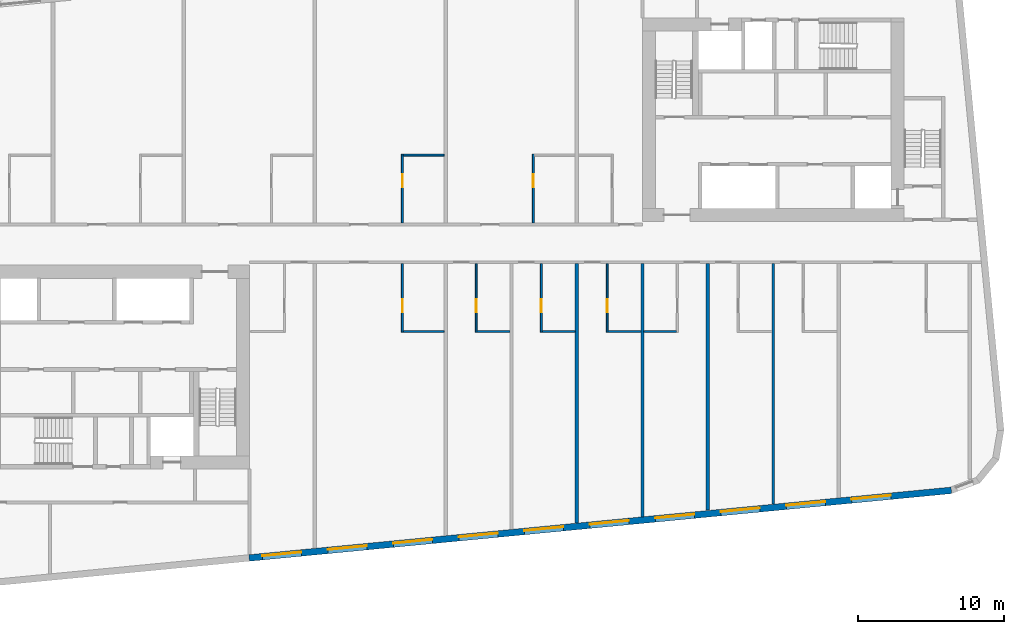
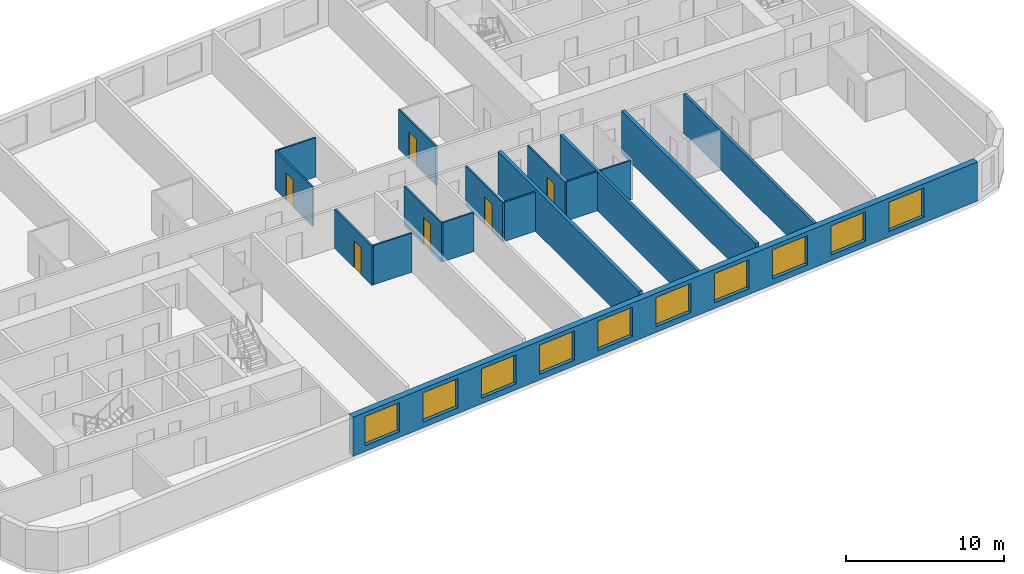
# One storey, part 4 of 11: 17 walls, 10 windows, 6 doors, 16 openings.
"""IFC4 building model written with IfcOpenShell, lengths in metres."""

from ifc_helpers import new_model, si_unit, direction, frame, frame_2d, origin, place, context, subcontext, project, spatial, rectangle, extrude, material, layer, layer_set, type_object, element, fill, save


model = new_model("IFC4")

# Units and contexts
model_context = context("Model", 3, precision=1e-05, world=origin(), true_north=direction((0.0, 1.0)))
body_context = subcontext(model_context, "Body", "Model", "MODEL_VIEW")
ifc_project = project(units=[si_unit("LENGTHUNIT", "METRE"), si_unit("AREAUNIT", "SQUARE_METRE"), si_unit("VOLUMEUNIT", "CUBIC_METRE"), si_unit("PLANEANGLEUNIT", "RADIAN"), si_unit("MASSUNIT", "GRAM", prefix="KILO")], contexts=[model_context])

# Site, building, storey
site_placement = place(None, origin())
site = spatial("IfcSite", under=ifc_project, at=site_placement, CompositionType="ELEMENT")
building_placement = place(site_placement, origin())
building = spatial("IfcBuilding", under=site, at=building_placement, Name="Kajstack Hotel Tower", CompositionType="ELEMENT")
storey_placement = place(building_placement, frame((0.0, 0.0, 285.0)))
storey = spatial("IfcBuildingStorey", under=building, at=storey_placement, Name="L71", CompositionType="ELEMENT", Elevation=285.0)

# Walls
ifc_material_1 = material(Name="Twin-frame gypsum board on steel studs, mineral wool", Category="steel")
ifc_layer_1 = layer(ifc_material_1, 0.199951171875)
ifc_layer_set_1 = layer_set([ifc_layer_1], Name="Demising wall 200")
wall_type_1 = type_object("IfcWallType", Name="Demising wall 200", PredefinedType="PARTITIONING", material=ifc_layer_set_1)
wall_1_placement = place(storey_placement, frame((13.5, -18.7958984375, 0.0), z_axis=(0.0, 0.0, 1.0), x_axis=(0.0, 1.0, 0.0)))
element("IfcWall", 1, at=wall_1_placement, inside=storey, type_object=wall_type_1, Name="G-wall-L71-028", PredefinedType="PARTITIONING", context=body_context, shape_type="SweptSolid", body=[
    extrude(rectangle(XDim=17.39599609375, YDim=0.199951171875, at=frame_2d((8.697998046875, 0.0))), origin(), (0.0, 0.0, 1.0), 3.02001953125),
])
wall_2_placement = place(storey_placement, frame((22.5, -17.928955078125, 0.0), z_axis=(0.0, 0.0, 1.0), x_axis=(0.0, 1.0, 0.0)))
element("IfcWall", 2, at=wall_2_placement, inside=storey, type_object=wall_type_1, Name="G-wall-L71-033", PredefinedType="PARTITIONING", context=body_context, shape_type="SweptSolid", body=[
    extrude(rectangle(XDim=16.529052734375, YDim=0.199951171875, at=frame_2d((8.2646484375, 0.0))), origin(), (0.0, 0.0, 1.0), 3.02001953125),
])

# Wall, openings, windows
ifc_material_2 = material(Name="Terracotta-faced brick masonry", Category="masonry")
ifc_layer_2 = layer(ifc_material_2, 0.449951171875)
ifc_layer_set_2 = layer_set([ifc_layer_2], Name="EW-TERRA")
wall_type_2 = type_object("IfcWallType", Name="EW-TERRA", PredefinedType="SOLIDWALL", material=ifc_layer_set_2)
wall_3_placement = place(storey_placement, frame((-13.521484375, -21.6240234375, 0.0), z_axis=(0.0, 0.0, 1.0), x_axis=(0.995396186218, 0.095845878695, 0.0)))
wall_3 = element("IfcWall", 3, at=wall_3_placement, inside=storey, type_object=wall_type_2, Name="E-wall-L71-04-02", PredefinedType="SOLIDWALL", context=body_context, shape_type="SweptSolid", body=[
    extrude(rectangle(XDim=48.481201171875, YDim=0.449951171875, at=frame_2d((24.24072265625, 0.0))), origin(), (0.0, 0.0, 1.0), 3.02001953125),
])
opening_1_placement = place(wall_3_placement, frame((0.910400390625, 0.0, 0.449951171875)))
opening_1 = element("IfcOpeningElement", 4, at=opening_1_placement, cuts=wall_3, Name="Opening W1", PredefinedType="OPENING", context=body_context, shape_type="SweptSolid", body=[
    extrude(rectangle(XDim=2.699951171875, YDim=2.25, at=frame_2d((1.35009765625, 1.125))), frame((0.0, 0.23486328125, 0.0), z_axis=(0.0, -1.0, 0.0), x_axis=(1.0, 0.0, 0.0)), (0.0, 0.0, 1.0), 0.469970703125),
])
opening_2_placement = place(wall_3_placement, frame((5.43115234375, 0.0, 0.449951171875)))
opening_2 = element("IfcOpeningElement", 5, at=opening_2_placement, cuts=wall_3, Name="Opening W1", PredefinedType="OPENING", context=body_context, shape_type="SweptSolid", body=[
    extrude(rectangle(XDim=2.699951171875, YDim=2.25, at=frame_2d((1.35009765625, 1.125))), frame((0.0, 0.23486328125, 0.0), z_axis=(0.0, -1.0, 0.0), x_axis=(1.0, 0.0, 0.0)), (0.0, 0.0, 1.0), 0.469970703125),
])
opening_3_placement = place(wall_3_placement, frame((9.951904296875, 0.0, 0.449951171875)))
opening_3 = element("IfcOpeningElement", 6, at=opening_3_placement, cuts=wall_3, Name="Opening W1", PredefinedType="OPENING", context=body_context, shape_type="SweptSolid", body=[
    extrude(rectangle(XDim=2.699951171875, YDim=2.25, at=frame_2d((1.35009765625, 1.125))), frame((0.0, 0.23486328125, 0.0), z_axis=(0.0, -1.0, 0.0), x_axis=(1.0, 0.0, 0.0)), (0.0, 0.0, 1.0), 0.469970703125),
])
opening_4_placement = place(wall_3_placement, frame((14.472900390625, 0.0, 0.449951171875)))
opening_4 = element("IfcOpeningElement", 7, at=opening_4_placement, cuts=wall_3, Name="Opening W1", PredefinedType="OPENING", context=body_context, shape_type="SweptSolid", body=[
    extrude(rectangle(XDim=2.699951171875, YDim=2.25, at=frame_2d((1.35009765625, 1.125))), frame((0.0, 0.23486328125, 0.0), z_axis=(0.0, -1.0, 0.0), x_axis=(1.0, 0.0, 0.0)), (0.0, 0.0, 1.0), 0.469970703125),
])
opening_5_placement = place(wall_3_placement, frame((18.99365234375, 0.0, 0.449951171875)))
opening_5 = element("IfcOpeningElement", 8, at=opening_5_placement, cuts=wall_3, Name="Opening W1", PredefinedType="OPENING", context=body_context, shape_type="SweptSolid", body=[
    extrude(rectangle(XDim=2.699951171875, YDim=2.25, at=frame_2d((1.35009765625, 1.125))), frame((0.0, 0.23486328125, 0.0), z_axis=(0.0, -1.0, 0.0), x_axis=(1.0, 0.0, 0.0)), (0.0, 0.0, 1.0), 0.469970703125),
])
opening_6_placement = place(wall_3_placement, frame((23.514404296875, 0.0, 0.449951171875)))
opening_6 = element("IfcOpeningElement", 9, at=opening_6_placement, cuts=wall_3, Name="Opening W1", PredefinedType="OPENING", context=body_context, shape_type="SweptSolid", body=[
    extrude(rectangle(XDim=2.699951171875, YDim=2.25, at=frame_2d((1.35009765625, 1.125))), frame((0.0, 0.23486328125, 0.0), z_axis=(0.0, -1.0, 0.0), x_axis=(1.0, 0.0, 0.0)), (0.0, 0.0, 1.0), 0.469970703125),
])
opening_7_placement = place(wall_3_placement, frame((28.03515625, 0.0, 0.449951171875)))
opening_7 = element("IfcOpeningElement", 10, at=opening_7_placement, cuts=wall_3, Name="Opening W1", PredefinedType="OPENING", context=body_context, shape_type="SweptSolid", body=[
    extrude(rectangle(XDim=2.699951171875, YDim=2.25, at=frame_2d((1.35009765625, 1.125))), frame((0.0, 0.23486328125, 0.0), z_axis=(0.0, -1.0, 0.0), x_axis=(1.0, 0.0, 0.0)), (0.0, 0.0, 1.0), 0.469970703125),
])
opening_8_placement = place(wall_3_placement, frame((32.55615234375, 0.0, 0.449951171875)))
opening_8 = element("IfcOpeningElement", 11, at=opening_8_placement, cuts=wall_3, Name="Opening W1", PredefinedType="OPENING", context=body_context, shape_type="SweptSolid", body=[
    extrude(rectangle(XDim=2.699951171875, YDim=2.25, at=frame_2d((1.35009765625, 1.125))), frame((0.0, 0.23486328125, 0.0), z_axis=(0.0, -1.0, 0.0), x_axis=(1.0, 0.0, 0.0)), (0.0, 0.0, 1.0), 0.469970703125),
])
opening_9_placement = place(wall_3_placement, frame((37.076904296875, 0.0, 0.449951171875)))
opening_9 = element("IfcOpeningElement", 12, at=opening_9_placement, cuts=wall_3, Name="Opening W1", PredefinedType="OPENING", context=body_context, shape_type="SweptSolid", body=[
    extrude(rectangle(XDim=2.699951171875, YDim=2.25, at=frame_2d((1.35009765625, 1.125))), frame((0.0, 0.23486328125, 0.0), z_axis=(0.0, -1.0, 0.0), x_axis=(1.0, 0.0, 0.0)), (0.0, 0.0, 1.0), 0.469970703125),
])
opening_10_placement = place(wall_3_placement, frame((41.59765625, 0.0, 0.449951171875)))
opening_10 = element("IfcOpeningElement", 13, at=opening_10_placement, cuts=wall_3, Name="Opening W1", PredefinedType="OPENING", context=body_context, shape_type="SweptSolid", body=[
    extrude(rectangle(XDim=2.699951171875, YDim=2.25, at=frame_2d((1.35009765625, 1.125))), frame((0.0, 0.23486328125, 0.0), z_axis=(0.0, -1.0, 0.0), x_axis=(1.0, 0.0, 0.0)), (0.0, 0.0, 1.0), 0.469970703125),
])
ifc_material_3 = material(Name="Timber-aluminium window, triple glazed", Category="wood")
window_type = type_object("IfcWindowType", Name="WG1", PartitioningType="SINGLE_PANEL", PredefinedType="WINDOW", material=ifc_material_3)
window_1_placement = place(opening_1_placement, origin())
window_1 = element("IfcWindow", 14, at=window_1_placement, inside=storey, type_object=window_type, Name="Window W1 L71-04", OverallHeight=2.25, OverallWidth=2.699951171875, PartitioningType="SINGLE_PANEL", PredefinedType="WINDOW", context=body_context, shape_type="SweptSolid", body=[
    extrude(rectangle(XDim=2.699951171875, YDim=2.25, at=frame_2d((1.35009765625, 1.125))), frame((0.0, 0.090087890625, 0.0), z_axis=(0.0, -1.0, 0.0), x_axis=(1.0, 0.0, 0.0)), (0.0, 0.0, 1.0), 0.06005859375),
])
fill(opening_1, window_1)
window_2_placement = place(opening_2_placement, origin())
window_2 = element("IfcWindow", 15, at=window_2_placement, inside=storey, type_object=window_type, Name="Window W1 L71-04", OverallHeight=2.25, OverallWidth=2.699951171875, PartitioningType="SINGLE_PANEL", PredefinedType="WINDOW", context=body_context, shape_type="SweptSolid", body=[
    extrude(rectangle(XDim=2.699951171875, YDim=2.25, at=frame_2d((1.35009765625, 1.125))), frame((0.0, 0.090087890625, 0.0), z_axis=(0.0, -1.0, 0.0), x_axis=(1.0, 0.0, 0.0)), (0.0, 0.0, 1.0), 0.06005859375),
])
fill(opening_2, window_2)
window_3_placement = place(opening_3_placement, origin())
window_3 = element("IfcWindow", 16, at=window_3_placement, inside=storey, type_object=window_type, Name="Window W1 L71-04", OverallHeight=2.25, OverallWidth=2.699951171875, PartitioningType="SINGLE_PANEL", PredefinedType="WINDOW", context=body_context, shape_type="SweptSolid", body=[
    extrude(rectangle(XDim=2.699951171875, YDim=2.25, at=frame_2d((1.35009765625, 1.125))), frame((0.0, 0.090087890625, 0.0), z_axis=(0.0, -1.0, 0.0), x_axis=(1.0, 0.0, 0.0)), (0.0, 0.0, 1.0), 0.06005859375),
])
fill(opening_3, window_3)
window_4_placement = place(opening_4_placement, origin())
window_4 = element("IfcWindow", 17, at=window_4_placement, inside=storey, type_object=window_type, Name="Window W1 L71-04", OverallHeight=2.25, OverallWidth=2.699951171875, PartitioningType="SINGLE_PANEL", PredefinedType="WINDOW", context=body_context, shape_type="SweptSolid", body=[
    extrude(rectangle(XDim=2.699951171875, YDim=2.25, at=frame_2d((1.35009765625, 1.125))), frame((0.0, 0.090087890625, 0.0), z_axis=(0.0, -1.0, 0.0), x_axis=(1.0, 0.0, 0.0)), (0.0, 0.0, 1.0), 0.06005859375),
])
fill(opening_4, window_4)
window_5_placement = place(opening_5_placement, origin())
window_5 = element("IfcWindow", 18, at=window_5_placement, inside=storey, type_object=window_type, Name="Window W1 L71-04", OverallHeight=2.25, OverallWidth=2.699951171875, PartitioningType="SINGLE_PANEL", PredefinedType="WINDOW", context=body_context, shape_type="SweptSolid", body=[
    extrude(rectangle(XDim=2.699951171875, YDim=2.25, at=frame_2d((1.35009765625, 1.125))), frame((0.0, 0.090087890625, 0.0), z_axis=(0.0, -1.0, 0.0), x_axis=(1.0, 0.0, 0.0)), (0.0, 0.0, 1.0), 0.06005859375),
])
fill(opening_5, window_5)
window_6_placement = place(opening_6_placement, origin())
window_6 = element("IfcWindow", 19, at=window_6_placement, inside=storey, type_object=window_type, Name="Window W1 L71-04", OverallHeight=2.25, OverallWidth=2.699951171875, PartitioningType="SINGLE_PANEL", PredefinedType="WINDOW", context=body_context, shape_type="SweptSolid", body=[
    extrude(rectangle(XDim=2.699951171875, YDim=2.25, at=frame_2d((1.35009765625, 1.125))), frame((0.0, 0.090087890625, 0.0), z_axis=(0.0, -1.0, 0.0), x_axis=(1.0, 0.0, 0.0)), (0.0, 0.0, 1.0), 0.06005859375),
])
fill(opening_6, window_6)
window_7_placement = place(opening_7_placement, origin())
window_7 = element("IfcWindow", 20, at=window_7_placement, inside=storey, type_object=window_type, Name="Window W1 L71-04", OverallHeight=2.25, OverallWidth=2.699951171875, PartitioningType="SINGLE_PANEL", PredefinedType="WINDOW", context=body_context, shape_type="SweptSolid", body=[
    extrude(rectangle(XDim=2.699951171875, YDim=2.25, at=frame_2d((1.35009765625, 1.125))), frame((0.0, 0.090087890625, 0.0), z_axis=(0.0, -1.0, 0.0), x_axis=(1.0, 0.0, 0.0)), (0.0, 0.0, 1.0), 0.06005859375),
])
fill(opening_7, window_7)
window_8_placement = place(opening_8_placement, origin())
window_8 = element("IfcWindow", 21, at=window_8_placement, inside=storey, type_object=window_type, Name="Window W1 L71-04", OverallHeight=2.25, OverallWidth=2.699951171875, PartitioningType="SINGLE_PANEL", PredefinedType="WINDOW", context=body_context, shape_type="SweptSolid", body=[
    extrude(rectangle(XDim=2.699951171875, YDim=2.25, at=frame_2d((1.35009765625, 1.125))), frame((0.0, 0.090087890625, 0.0), z_axis=(0.0, -1.0, 0.0), x_axis=(1.0, 0.0, 0.0)), (0.0, 0.0, 1.0), 0.06005859375),
])
fill(opening_8, window_8)
window_9_placement = place(opening_9_placement, origin())
window_9 = element("IfcWindow", 22, at=window_9_placement, inside=storey, type_object=window_type, Name="Window W1 L71-04", OverallHeight=2.25, OverallWidth=2.699951171875, PartitioningType="SINGLE_PANEL", PredefinedType="WINDOW", context=body_context, shape_type="SweptSolid", body=[
    extrude(rectangle(XDim=2.699951171875, YDim=2.25, at=frame_2d((1.35009765625, 1.125))), frame((0.0, 0.090087890625, 0.0), z_axis=(0.0, -1.0, 0.0), x_axis=(1.0, 0.0, 0.0)), (0.0, 0.0, 1.0), 0.06005859375),
])
fill(opening_9, window_9)
window_10_placement = place(opening_10_placement, origin())
window_10 = element("IfcWindow", 23, at=window_10_placement, inside=storey, type_object=window_type, Name="Window W1 L71-04", OverallHeight=2.25, OverallWidth=2.699951171875, PartitioningType="SINGLE_PANEL", PredefinedType="WINDOW", context=body_context, shape_type="SweptSolid", body=[
    extrude(rectangle(XDim=2.699951171875, YDim=2.25, at=frame_2d((1.35009765625, 1.125))), frame((0.0, 0.090087890625, 0.0), z_axis=(0.0, -1.0, 0.0), x_axis=(1.0, 0.0, 0.0)), (0.0, 0.0, 1.0), 0.06005859375),
])
fill(opening_10, window_10)

# Wall, opening, door
ifc_material_4 = material(Name="Gypsum board and tiled backer on steel studs", Category="steel")
ifc_layer_3 = layer(ifc_material_4, 0.125)
ifc_layer_set_3 = layer_set([ifc_layer_3], Name="En-suite wall 125")
wall_type_3 = type_object("IfcWallType", Name="En-suite wall 125", PredefinedType="PARTITIONING", material=ifc_layer_set_3)
wall_4_placement = place(storey_placement, frame((-2.987060546875, 1.39990234375, 0.0), z_axis=(0.0, 0.0, 1.0), x_axis=(0.0, 1.0, 0.0)))
wall_4 = element("IfcWall", 24, at=wall_4_placement, inside=storey, type_object=wall_type_3, Name="G-wall-L71-012", PredefinedType="PARTITIONING", context=body_context, shape_type="SweptSolid", body=[
    extrude(rectangle(XDim=4.72509765625, YDim=0.125, at=frame_2d((2.362548828125, 0.0))), origin(), (0.0, 0.0, 1.0), 3.02001953125),
])
opening_11_placement = place(wall_4_placement, frame((2.449951171875, 0.0, 0.0)))
opening_11 = element("IfcOpeningElement", 25, at=opening_11_placement, cuts=wall_4, Name="Opening 71010", PredefinedType="OPENING", context=body_context, shape_type="SweptSolid", body=[
    extrude(rectangle(XDim=0.89990234375, YDim=2.10009765625, at=frame_2d((0.449951171875, 1.050048828125))), frame((0.0, 0.072509765625, 0.0), z_axis=(0.0, -1.0, 0.0), x_axis=(1.0, 0.0, 0.0)), (0.0, 0.0, 1.0), 0.14501953125),
])
ifc_material_5 = material(Name="Painted timber door leaf", Category="wood")
door_type = type_object("IfcDoorType", Name="Room door 900", OperationType="SINGLE_SWING_LEFT", PredefinedType="DOOR", material=ifc_material_5)
door_1_placement = place(opening_11_placement, origin())
door_1 = element("IfcDoor", 26, at=door_1_placement, inside=storey, type_object=door_type, Name="G-door-L71-10", OperationType="SINGLE_SWING_LEFT", OverallHeight=2.10009765625, OverallWidth=0.89990234375, PredefinedType="DOOR", context=body_context, shape_type="SweptSolid", body=[
    extrude(rectangle(XDim=0.89990234375, YDim=2.10009765625, at=frame_2d((0.449951171875, 1.050048828125))), frame((0.0, 0.02490234375, 0.0), z_axis=(0.0, -1.0, 0.0), x_axis=(1.0, 0.0, 0.0)), (0.0, 0.0, 1.0), 0.050048828125),
])
fill(opening_11, door_1)

# Wall
wall_5_placement = place(storey_placement, frame((-2.925048828125, 6.06201171875, 0.0), z_axis=(0.0, 0.0, 1.0), x_axis=(1.0, 0.0, 0.0)))
element("IfcWall", 27, at=wall_5_placement, inside=storey, type_object=wall_type_3, Name="G-wall-L71-013", PredefinedType="PARTITIONING", context=body_context, shape_type="SweptSolid", body=[
    extrude(rectangle(XDim=2.800048828125, YDim=0.125, at=frame_2d((1.39990234375, 0.0))), origin(), (0.0, 0.0, 1.0), 3.02001953125),
])

# Wall, opening, door
wall_6_placement = place(storey_placement, frame((6.012939453125, 1.39990234375, 0.0), z_axis=(0.0, 0.0, 1.0), x_axis=(0.0, 1.0, 0.0)))
wall_6 = element("IfcWall", 28, at=wall_6_placement, inside=storey, type_object=wall_type_3, Name="G-wall-L71-014", PredefinedType="PARTITIONING", context=body_context, shape_type="SweptSolid", body=[
    extrude(rectangle(XDim=4.72509765625, YDim=0.125, at=frame_2d((2.362548828125, 0.0))), origin(), (0.0, 0.0, 1.0), 3.02001953125),
])
opening_12_placement = place(wall_6_placement, frame((2.449951171875, 0.0, 0.0)))
opening_12 = element("IfcOpeningElement", 29, at=opening_12_placement, cuts=wall_6, Name="Opening 71012", PredefinedType="OPENING", context=body_context, shape_type="SweptSolid", body=[
    extrude(rectangle(XDim=0.89990234375, YDim=2.10009765625, at=frame_2d((0.449951171875, 1.050048828125))), frame((0.0, 0.072509765625, 0.0), z_axis=(0.0, -1.0, 0.0), x_axis=(1.0, 0.0, 0.0)), (0.0, 0.0, 1.0), 0.14501953125),
])
door_2_placement = place(opening_12_placement, origin())
door_2 = element("IfcDoor", 30, at=door_2_placement, inside=storey, type_object=door_type, Name="G-door-L71-12", OperationType="SINGLE_SWING_LEFT", OverallHeight=2.10009765625, OverallWidth=0.89990234375, PredefinedType="DOOR", context=body_context, shape_type="SweptSolid", body=[
    extrude(rectangle(XDim=0.89990234375, YDim=2.10009765625, at=frame_2d((0.449951171875, 1.050048828125))), frame((0.0, 0.02490234375, 0.0), z_axis=(0.0, -1.0, 0.0), x_axis=(1.0, 0.0, 0.0)), (0.0, 0.0, 1.0), 0.050048828125),
])
fill(opening_12, door_2)

wall_7_placement = place(storey_placement, frame((-2.987060546875, -6.125, 0.0), z_axis=(0.0, 0.0, 1.0), x_axis=(0.0, 1.0, 0.0)))
wall_7 = element("IfcWall", 31, at=wall_7_placement, inside=storey, type_object=wall_type_3, Name="G-wall-L71-021", PredefinedType="PARTITIONING", context=body_context, shape_type="SweptSolid", body=[
    extrude(rectangle(XDim=4.72509765625, YDim=0.125, at=frame_2d((2.362548828125, 0.0))), origin(), (0.0, 0.0, 1.0), 3.02001953125),
])
opening_13_placement = place(wall_7_placement, frame((1.375, 0.0, 0.0)))
opening_13 = element("IfcOpeningElement", 32, at=opening_13_placement, cuts=wall_7, Name="Opening 71018", PredefinedType="OPENING", context=body_context, shape_type="SweptSolid", body=[
    extrude(rectangle(XDim=0.89990234375, YDim=2.10009765625, at=frame_2d((0.449951171875, 1.050048828125))), frame((0.0, 0.072509765625, 0.0), z_axis=(0.0, -1.0, 0.0), x_axis=(1.0, 0.0, 0.0)), (0.0, 0.0, 1.0), 0.14501953125),
])
door_3_placement = place(opening_13_placement, origin())
door_3 = element("IfcDoor", 33, at=door_3_placement, inside=storey, type_object=door_type, Name="G-door-L71-18", OperationType="SINGLE_SWING_RIGHT", OverallHeight=2.10009765625, OverallWidth=0.89990234375, PredefinedType="DOOR", context=body_context, shape_type="SweptSolid", body=[
    extrude(rectangle(XDim=0.89990234375, YDim=2.10009765625, at=frame_2d((0.449951171875, 1.050048828125))), frame((0.0, 0.02490234375, 0.0), z_axis=(0.0, -1.0, 0.0), x_axis=(1.0, 0.0, 0.0)), (0.0, 0.0, 1.0), 0.050048828125),
])
fill(opening_13, door_3)

# Wall
wall_8_placement = place(storey_placement, frame((-2.925048828125, -6.06201171875, 0.0), z_axis=(0.0, 0.0, 1.0), x_axis=(1.0, 0.0, 0.0)))
element("IfcWall", 34, at=wall_8_placement, inside=storey, type_object=wall_type_3, Name="G-wall-L71-022", PredefinedType="PARTITIONING", context=body_context, shape_type="SweptSolid", body=[
    extrude(rectangle(XDim=2.800048828125, YDim=0.125, at=frame_2d((1.39990234375, 0.0))), origin(), (0.0, 0.0, 1.0), 3.02001953125),
])

# Wall, opening, door
wall_9_placement = place(storey_placement, frame((2.0869140625, -6.125, 0.0), z_axis=(0.0, 0.0, 1.0), x_axis=(0.0, 1.0, 0.0)))
wall_9 = element("IfcWall", 35, at=wall_9_placement, inside=storey, type_object=wall_type_3, Name="G-wall-L71-024", PredefinedType="PARTITIONING", context=body_context, shape_type="SweptSolid", body=[
    extrude(rectangle(XDim=4.72509765625, YDim=0.125, at=frame_2d((2.362548828125, 0.0))), origin(), (0.0, 0.0, 1.0), 3.02001953125),
])
opening_14_placement = place(wall_9_placement, frame((1.375, 0.0, 0.0)))
opening_14 = element("IfcOpeningElement", 36, at=opening_14_placement, cuts=wall_9, Name="Opening 71020", PredefinedType="OPENING", context=body_context, shape_type="SweptSolid", body=[
    extrude(rectangle(XDim=0.89990234375, YDim=2.10009765625, at=frame_2d((0.449951171875, 1.050048828125))), frame((0.0, 0.072509765625, 0.0), z_axis=(0.0, -1.0, 0.0), x_axis=(1.0, 0.0, 0.0)), (0.0, 0.0, 1.0), 0.14501953125),
])
door_4_placement = place(opening_14_placement, origin())
door_4 = element("IfcDoor", 37, at=door_4_placement, inside=storey, type_object=door_type, Name="G-door-L71-20", OperationType="SINGLE_SWING_RIGHT", OverallHeight=2.10009765625, OverallWidth=0.89990234375, PredefinedType="DOOR", context=body_context, shape_type="SweptSolid", body=[
    extrude(rectangle(XDim=0.89990234375, YDim=2.10009765625, at=frame_2d((0.449951171875, 1.050048828125))), frame((0.0, 0.02490234375, 0.0), z_axis=(0.0, -1.0, 0.0), x_axis=(1.0, 0.0, 0.0)), (0.0, 0.0, 1.0), 0.050048828125),
])
fill(opening_14, door_4)

# Wall
wall_10_placement = place(storey_placement, frame((2.14990234375, -6.06201171875, 0.0), z_axis=(0.0, 0.0, 1.0), x_axis=(1.0, 0.0, 0.0)))
element("IfcWall", 38, at=wall_10_placement, inside=storey, type_object=wall_type_3, Name="G-wall-L71-025", PredefinedType="PARTITIONING", context=body_context, shape_type="SweptSolid", body=[
    extrude(rectangle(XDim=2.25, YDim=0.125, at=frame_2d((1.125, 0.0))), origin(), (0.0, 0.0, 1.0), 3.02001953125),
])

# Wall, opening, door
wall_11_placement = place(storey_placement, frame((6.56201171875, -6.125, 0.0), z_axis=(0.0, 0.0, 1.0), x_axis=(0.0, 1.0, 0.0)))
wall_11 = element("IfcWall", 39, at=wall_11_placement, inside=storey, type_object=wall_type_3, Name="G-wall-L71-026", PredefinedType="PARTITIONING", context=body_context, shape_type="SweptSolid", body=[
    extrude(rectangle(XDim=4.72509765625, YDim=0.125, at=frame_2d((2.362548828125, 0.0))), origin(), (0.0, 0.0, 1.0), 3.02001953125),
])
opening_15_placement = place(wall_11_placement, frame((1.375, 0.0, 0.0)))
opening_15 = element("IfcOpeningElement", 40, at=opening_15_placement, cuts=wall_11, Name="Opening 71022", PredefinedType="OPENING", context=body_context, shape_type="SweptSolid", body=[
    extrude(rectangle(XDim=0.89990234375, YDim=2.10009765625, at=frame_2d((0.449951171875, 1.050048828125))), frame((0.0, 0.072509765625, 0.0), z_axis=(0.0, -1.0, 0.0), x_axis=(1.0, 0.0, 0.0)), (0.0, 0.0, 1.0), 0.14501953125),
])
door_5_placement = place(opening_15_placement, origin())
door_5 = element("IfcDoor", 41, at=door_5_placement, inside=storey, type_object=door_type, Name="G-door-L71-22", OperationType="SINGLE_SWING_RIGHT", OverallHeight=2.10009765625, OverallWidth=0.89990234375, PredefinedType="DOOR", context=body_context, shape_type="SweptSolid", body=[
    extrude(rectangle(XDim=0.89990234375, YDim=2.10009765625, at=frame_2d((0.449951171875, 1.050048828125))), frame((0.0, 0.02490234375, 0.0), z_axis=(0.0, -1.0, 0.0), x_axis=(1.0, 0.0, 0.0)), (0.0, 0.0, 1.0), 0.050048828125),
])
fill(opening_15, door_5)

# Wall
wall_12_placement = place(storey_placement, frame((6.625, -6.06201171875, 0.0), z_axis=(0.0, 0.0, 1.0), x_axis=(1.0, 0.0, 0.0)))
element("IfcWall", 42, at=wall_12_placement, inside=storey, type_object=wall_type_3, Name="G-wall-L71-027", PredefinedType="PARTITIONING", context=body_context, shape_type="SweptSolid", body=[
    extrude(rectangle(XDim=2.25, YDim=0.125, at=frame_2d((1.125, 0.0))), origin(), (0.0, 0.0, 1.0), 3.02001953125),
])

# Wall, opening, door
wall_13_placement = place(storey_placement, frame((11.087890625, -6.125, 0.0), z_axis=(0.0, 0.0, 1.0), x_axis=(0.0, 1.0, 0.0)))
wall_13 = element("IfcWall", 43, at=wall_13_placement, inside=storey, type_object=wall_type_3, Name="G-wall-L71-029", PredefinedType="PARTITIONING", context=body_context, shape_type="SweptSolid", body=[
    extrude(rectangle(XDim=4.72509765625, YDim=0.125, at=frame_2d((2.362548828125, 0.0))), origin(), (0.0, 0.0, 1.0), 3.02001953125),
])
opening_16_placement = place(wall_13_placement, frame((1.375, 0.0, 0.0)))
opening_16 = element("IfcOpeningElement", 44, at=opening_16_placement, cuts=wall_13, Name="Opening 71024", PredefinedType="OPENING", context=body_context, shape_type="SweptSolid", body=[
    extrude(rectangle(XDim=0.89990234375, YDim=2.10009765625, at=frame_2d((0.449951171875, 1.050048828125))), frame((0.0, 0.072509765625, 0.0), z_axis=(0.0, -1.0, 0.0), x_axis=(1.0, 0.0, 0.0)), (0.0, 0.0, 1.0), 0.14501953125),
])
door_6_placement = place(opening_16_placement, origin())
door_6 = element("IfcDoor", 45, at=door_6_placement, inside=storey, type_object=door_type, Name="G-door-L71-24", OperationType="SINGLE_SWING_RIGHT", OverallHeight=2.10009765625, OverallWidth=0.89990234375, PredefinedType="DOOR", context=body_context, shape_type="SweptSolid", body=[
    extrude(rectangle(XDim=0.89990234375, YDim=2.10009765625, at=frame_2d((0.449951171875, 1.050048828125))), frame((0.0, 0.02490234375, 0.0), z_axis=(0.0, -1.0, 0.0), x_axis=(1.0, 0.0, 0.0)), (0.0, 0.0, 1.0), 0.050048828125),
])
fill(opening_16, door_6)

# Walls
for number, where, z_axis, x_axis, name in (
    (46, (11.14990234375, -6.06201171875, 0.0), (0.0, 0.0, 1.0), (1.0, 0.0, 0.0), "G-wall-L71-030"),
    (47, (13.60009765625, -6.06201171875, 0.0), (0.0, 0.0, 1.0), (1.0, 0.0, 0.0), "G-wall-L71-032"),
):
    element("IfcWall", number, at=place(storey_placement, frame(where, z_axis=z_axis, x_axis=x_axis)), inside=storey, type_object=wall_type_3, Name=name, PredefinedType="PARTITIONING", context=body_context, shape_type="SweptSolid", body=[
        extrude(rectangle(XDim=2.25, YDim=0.125, at=frame_2d((1.125, 0.0))), origin(), (0.0, 0.0, 1.0), 3.02001953125),
    ])
ifc_material_6 = material(Name="Concrete C40/50", Category="concrete")
ifc_layer_4 = layer(ifc_material_6, 0.25)
ifc_layer_set_4 = layer_set([ifc_layer_4], Name="RC cross wall 250 C40/50")
wall_type_4 = type_object("IfcWallType", Name="RC cross wall 250 C40/50", PredefinedType="SHEAR", material=ifc_layer_set_4)
wall_14_placement = place(storey_placement, frame((9.0, -19.207275390625, 0.0), z_axis=(0.0, 0.0, 1.0), x_axis=(0.0, 1.0, 0.0)))
element("IfcWall", 48, at=wall_14_placement, inside=storey, type_object=wall_type_4, Name="S-wall-L71-08", PredefinedType="SHEAR", context=body_context, shape_type="SweptSolid", body=[
    extrude(rectangle(XDim=17.807373046875, YDim=0.25, at=frame_2d((8.90380859375, 0.0))), origin(), (0.0, 0.0, 1.0), 3.300048828125),
])
wall_15_placement = place(storey_placement, frame((18.0, -18.3408203125, 0.0), z_axis=(0.0, 0.0, 1.0), x_axis=(0.0, 1.0, 0.0)))
element("IfcWall", 49, at=wall_15_placement, inside=storey, type_object=wall_type_4, Name="S-wall-L71-10", PredefinedType="SHEAR", context=body_context, shape_type="SweptSolid", body=[
    extrude(rectangle(XDim=16.94091796875, YDim=0.25, at=frame_2d((8.470458984375, 0.0))), origin(), (0.0, 0.0, 1.0), 3.300048828125),
])

save(model, "model.ifc")
